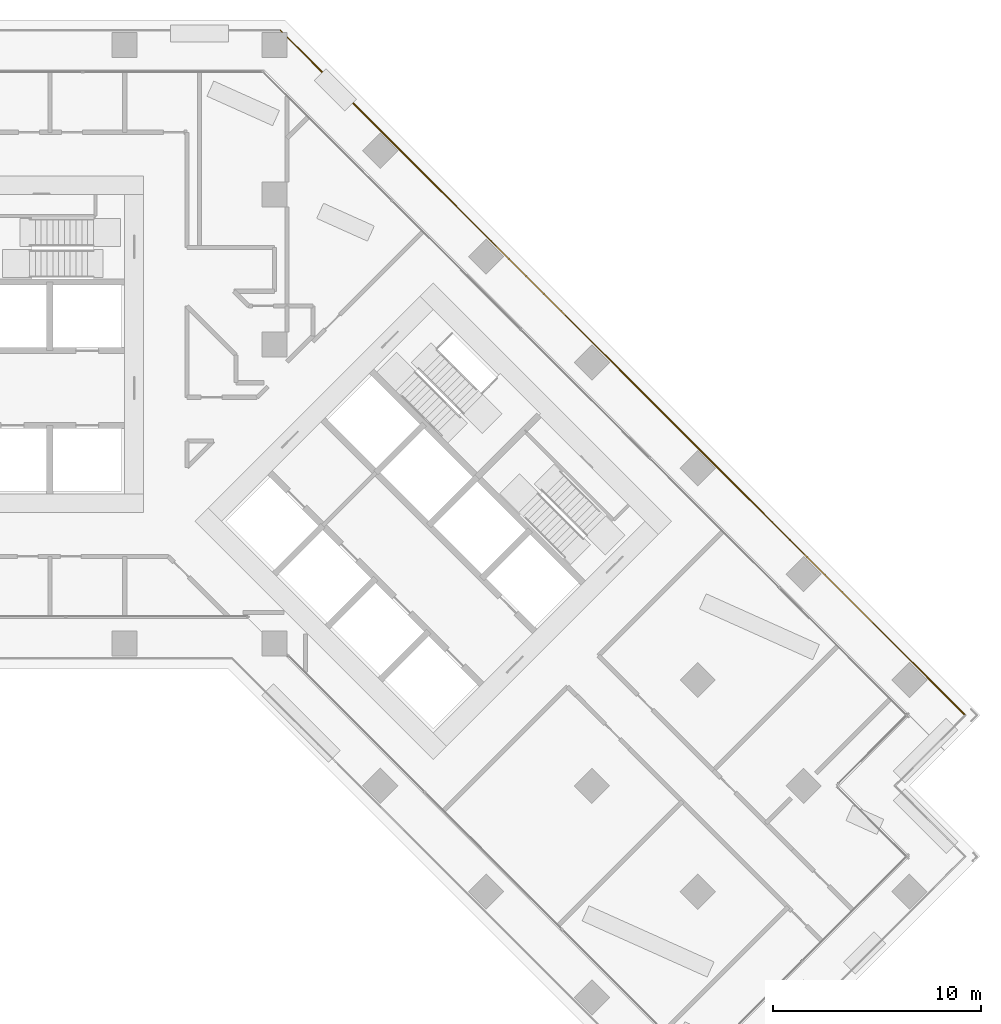
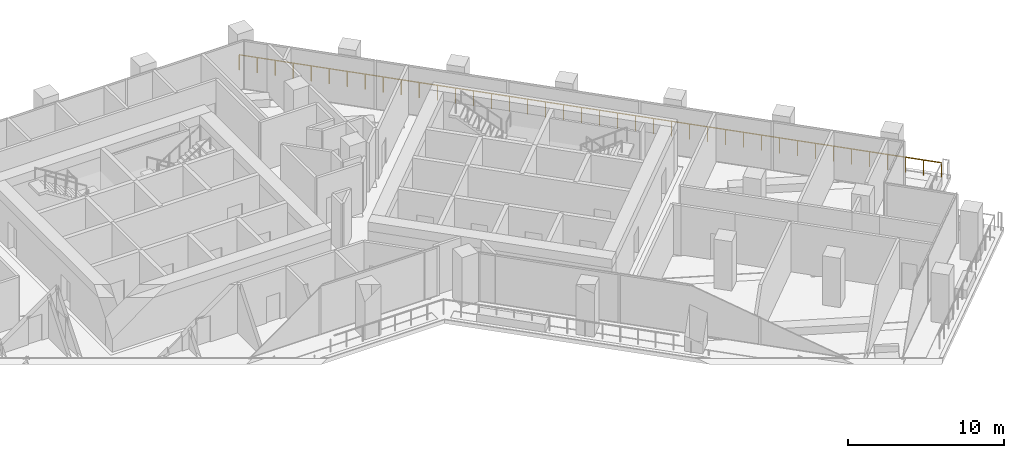
# One storey, part 24 of 24: 1 railing.
"""IFC4 building model written with IfcOpenShell, lengths in metres."""

from ifc_helpers import new_model, si_unit, direction, frame, origin, origin_2d, place, context, subcontext, project, spatial, circle, extrude, material, type_object, element, save


model = new_model("IFC4")

# Units and contexts
model_context = context("Model", 3, precision=1e-05, world=origin(), true_north=direction((0.0, 1.0)))
body_context = subcontext(model_context, "Body", "Model", "MODEL_VIEW")
ifc_project = project(units=[si_unit("LENGTHUNIT", "METRE"), si_unit("AREAUNIT", "SQUARE_METRE"), si_unit("VOLUMEUNIT", "CUBIC_METRE"), si_unit("PLANEANGLEUNIT", "RADIAN"), si_unit("MASSUNIT", "GRAM", prefix="KILO")], contexts=[model_context])

# Site, building, storey
site_placement = place(None, origin())
site = spatial("IfcSite", under=ifc_project, at=site_placement, CompositionType="ELEMENT")
building_placement = place(site_placement, origin())
building = spatial("IfcBuilding", under=site, at=building_placement, Name="Windrow Commons", CompositionType="ELEMENT")
storey_placement = place(building_placement, frame((0.0, 0.0, 77.0)))
storey = spatial("IfcBuildingStorey", under=building, at=storey_placement, Name="L20", CompositionType="ELEMENT", Elevation=77.0)

# Railing
ifc_material = material(Name="Stainless steel S316 balustrade with toughened glass infill", Category="steel")
railing_type = type_object("IfcRailingType", Name="Terrace guard 1200 podium", PredefinedType="BALUSTRADE", material=ifc_material)
railing_placement = place(storey_placement, frame((79.49, 72.7, 0.05)))
element("IfcRailing", 1, at=railing_placement, inside=storey, type_object=railing_type, Name="Guard TR-L20-1.E10", PredefinedType="BALUSTRADE", context=body_context, shape_type="SweptSolid", body=[
    extrude(circle(Radius=0.025, at=origin_2d()), frame((0.0, 0.0, 1.175), z_axis=(0.707105708, -0.7071078544, 0.0), x_axis=(0.7071078544, 0.707105708, 0.0)), (0.0, 0.0, 1.0), 46.5899),
    extrude(circle(Radius=0.02, at=origin_2d()), origin(), (0.0, 0.0, 1.0), 1.15),
    extrude(circle(Radius=0.02, at=origin_2d()), frame((0.8447, -0.8447, 0.0)), (0.0, 0.0, 1.0), 1.15),
    extrude(circle(Radius=0.02, at=origin_2d()), frame((1.6894, -1.6894, 0.0)), (0.0, 0.0, 1.0), 1.15),
    extrude(circle(Radius=0.02, at=origin_2d()), frame((2.5342, -2.5342, 0.0)), (0.0, 0.0, 1.0), 1.15),
    extrude(circle(Radius=0.02, at=origin_2d()), frame((3.3789, -3.3789, 0.0)), (0.0, 0.0, 1.0), 1.15),
    extrude(circle(Radius=0.02, at=origin_2d()), frame((4.2236, -4.2236, 0.0)), (0.0, 0.0, 1.0), 1.15),
    extrude(circle(Radius=0.02, at=origin_2d()), frame((5.0683, -5.0683, 0.0)), (0.0, 0.0, 1.0), 1.15),
    extrude(circle(Radius=0.02, at=origin_2d()), frame((5.913, -5.913, 0.0)), (0.0, 0.0, 1.0), 1.15),
    extrude(circle(Radius=0.02, at=origin_2d()), frame((6.7577, -6.7578, 0.0)), (0.0, 0.0, 1.0), 1.15),
    extrude(circle(Radius=0.02, at=origin_2d()), frame((7.6025, -7.6025, 0.0)), (0.0, 0.0, 1.0), 1.15),
    extrude(circle(Radius=0.02, at=origin_2d()), frame((8.4472, -8.4472, 0.0)), (0.0, 0.0, 1.0), 1.15),
    extrude(circle(Radius=0.02, at=origin_2d()), frame((9.2919, -9.2919, 0.0)), (0.0, 0.0, 1.0), 1.15),
    extrude(circle(Radius=0.02, at=origin_2d()), frame((10.1366, -10.1366, 0.0)), (0.0, 0.0, 1.0), 1.15),
    extrude(circle(Radius=0.02, at=origin_2d()), frame((10.9813, -10.9814, 0.0)), (0.0, 0.0, 1.0), 1.15),
    extrude(circle(Radius=0.02, at=origin_2d()), frame((11.8261, -11.8261, 0.0)), (0.0, 0.0, 1.0), 1.15),
    extrude(circle(Radius=0.02, at=origin_2d()), frame((12.6708, -12.6708, 0.0)), (0.0, 0.0, 1.0), 1.15),
    extrude(circle(Radius=0.02, at=origin_2d()), frame((13.5155, -13.5155, 0.0)), (0.0, 0.0, 1.0), 1.15),
    extrude(circle(Radius=0.02, at=origin_2d()), frame((14.3602, -14.3602, 0.0)), (0.0, 0.0, 1.0), 1.15),
    extrude(circle(Radius=0.02, at=origin_2d()), frame((15.2049, -15.205, 0.0)), (0.0, 0.0, 1.0), 1.15),
    extrude(circle(Radius=0.02, at=origin_2d()), frame((16.0496, -16.0497, 0.0)), (0.0, 0.0, 1.0), 1.15),
    extrude(circle(Radius=0.02, at=origin_2d()), frame((16.8944, -16.8944, 0.0)), (0.0, 0.0, 1.0), 1.15),
    extrude(circle(Radius=0.02, at=origin_2d()), frame((17.7391, -17.7391, 0.0)), (0.0, 0.0, 1.0), 1.15),
    extrude(circle(Radius=0.02, at=origin_2d()), frame((18.5838, -18.5839, 0.0)), (0.0, 0.0, 1.0), 1.15),
    extrude(circle(Radius=0.02, at=origin_2d()), frame((19.4285, -19.4286, 0.0)), (0.0, 0.0, 1.0), 1.15),
    extrude(circle(Radius=0.02, at=origin_2d()), frame((20.2732, -20.2733, 0.0)), (0.0, 0.0, 1.0), 1.15),
    extrude(circle(Radius=0.02, at=origin_2d()), frame((21.1179, -21.118, 0.0)), (0.0, 0.0, 1.0), 1.15),
    extrude(circle(Radius=0.02, at=origin_2d()), frame((21.9627, -21.9627, 0.0)), (0.0, 0.0, 1.0), 1.15),
    extrude(circle(Radius=0.02, at=origin_2d()), frame((22.8074, -22.8075, 0.0)), (0.0, 0.0, 1.0), 1.15),
    extrude(circle(Radius=0.02, at=origin_2d()), frame((23.6521, -23.6522, 0.0)), (0.0, 0.0, 1.0), 1.15),
    extrude(circle(Radius=0.02, at=origin_2d()), frame((24.4968, -24.4969, 0.0)), (0.0, 0.0, 1.0), 1.15),
    extrude(circle(Radius=0.02, at=origin_2d()), frame((25.3415, -25.3416, 0.0)), (0.0, 0.0, 1.0), 1.15),
    extrude(circle(Radius=0.02, at=origin_2d()), frame((26.1863, -26.1863, 0.0)), (0.0, 0.0, 1.0), 1.15),
    extrude(circle(Radius=0.02, at=origin_2d()), frame((27.031, -27.0311, 0.0)), (0.0, 0.0, 1.0), 1.15),
    extrude(circle(Radius=0.02, at=origin_2d()), frame((27.8757, -27.8758, 0.0)), (0.0, 0.0, 1.0), 1.15),
    extrude(circle(Radius=0.02, at=origin_2d()), frame((28.7204, -28.7205, 0.0)), (0.0, 0.0, 1.0), 1.15),
    extrude(circle(Radius=0.02, at=origin_2d()), frame((29.5651, -29.5652, 0.0)), (0.0, 0.0, 1.0), 1.15),
    extrude(circle(Radius=0.02, at=origin_2d()), frame((30.4098, -30.4099, 0.0)), (0.0, 0.0, 1.0), 1.15),
    extrude(circle(Radius=0.02, at=origin_2d()), frame((31.2546, -31.2547, 0.0)), (0.0, 0.0, 1.0), 1.15),
    extrude(circle(Radius=0.02, at=origin_2d()), frame((32.0993, -32.0994, 0.0)), (0.0, 0.0, 1.0), 1.15),
    extrude(circle(Radius=0.02, at=origin_2d()), frame((32.944, -32.9441, 0.0)), (0.0, 0.0, 1.0), 1.15),
])

save(model, "model.ifc")
